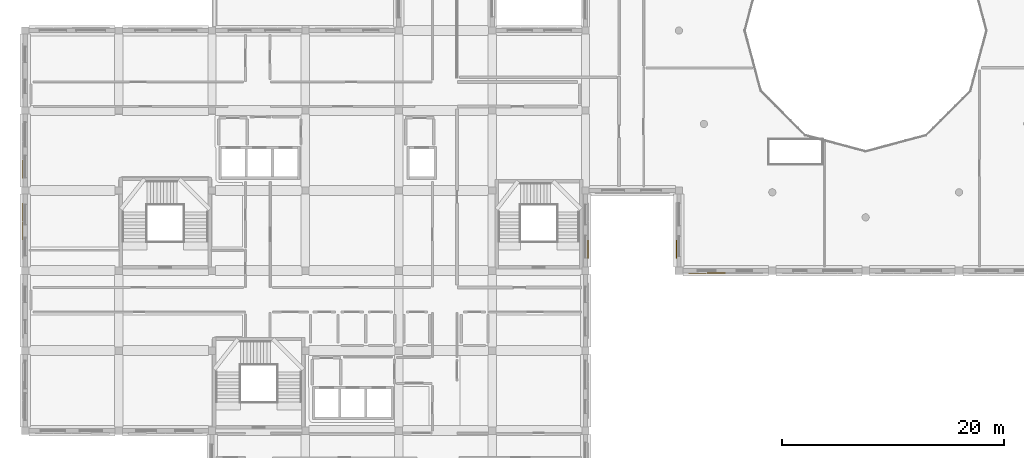
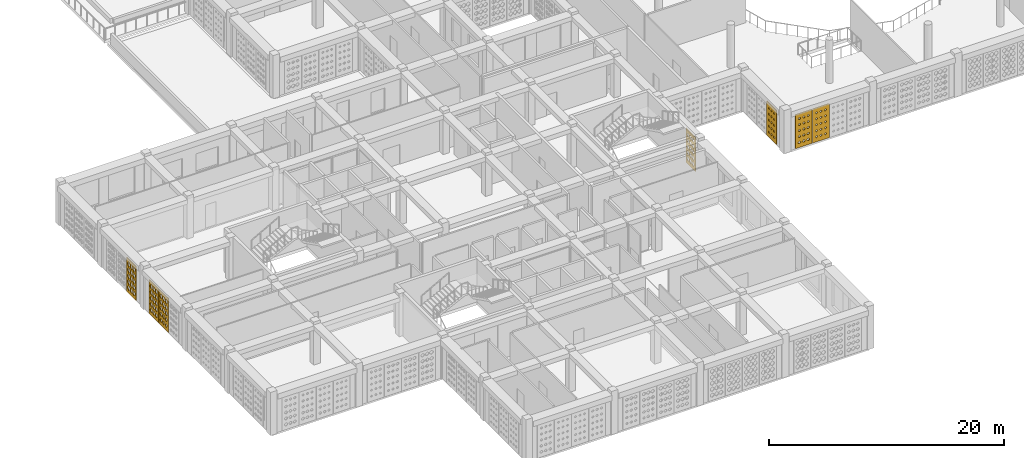
# One storey, part 25 of 47: 7 coverings.
"""IFC4 building model written with IfcOpenShell, lengths in metres."""

from ifc_helpers import new_model, si_unit, derived_unit, direction, frame, origin, place, context, subcontext, project, spatial, polyline, outline, extrude, material, layer, layer_set, type_object, element, save


model = new_model("IFC4")

# Units and contexts
model_context = context("Model", 3, precision=1e-05, world=origin(), true_north=direction((0.0, 1.0)))
body_context = subcontext(model_context, "Body", "Model", "MODEL_VIEW")
ifc_project = project(units=[si_unit("LENGTHUNIT", "METRE"), si_unit("AREAUNIT", "SQUARE_METRE"), si_unit("VOLUMEUNIT", "CUBIC_METRE"), si_unit("PLANEANGLEUNIT", "RADIAN"), si_unit("MASSUNIT", "GRAM", prefix="KILO"), derived_unit("THERMALTRANSMITTANCEUNIT", [(si_unit("POWERUNIT", "WATT"), 1), (si_unit("LENGTHUNIT", "METRE"), -2), (si_unit("THERMODYNAMICTEMPERATUREUNIT", "KELVIN"), -1)])], contexts=[model_context])

# Site, building, storey
site_placement = place(None, origin())
site = spatial("IfcSite", under=ifc_project, at=site_placement, CompositionType="ELEMENT")
building_placement = place(site_placement, origin())
building = spatial("IfcBuilding", under=site, at=building_placement, Name="Veybourne Emporium", CompositionType="ELEMENT")
storey_placement = place(building_placement, frame((0.0, 0.0, 23.39990234375)))
storey = spatial("IfcBuildingStorey", under=building, at=storey_placement, Name="L05", CompositionType="ELEMENT", Elevation=23.39990234375)

# Coverings
ifc_material = material(Name="Warm-White Perforated Aluminium Screen Alloy", Category="aluminium")
ifc_layer_1 = layer(ifc_material, 0.06005859375)
ifc_layer_set_1 = layer_set([ifc_layer_1], Name="Warm-White Perforated Aluminium Screen Alloy")
covering_type_1 = type_object("IfcCoveringType", Name="WaveScreen_SCR-01", PredefinedType="CLADDING", material=ifc_layer_set_1)
covering_1_placement = place(storey_placement, frame((-0.248046875, 34.080078125, 1.830078125), z_axis=(1.0, 0.0, 0.0), x_axis=(0.0, 1.0, 0.0)))
element("IfcCovering", 1, at=covering_1_placement, inside=storey, type_object=covering_type_1, Name="L05 wave-perforated aluminium screen SCR-01 (4.3)", PredefinedType="CLADDING", context=body_context, shape_type="SweptSolid", body=[
    extrude(outline(polyline([(-0.81982421875, -1.77001953125), (0.81982421875, -1.77001953125), (0.81982421875, 1.77001953125), (-0.81982421875, 1.77001953125), (-0.81982421875, -1.77001953125)]), holes=[polyline([(-0.433349609375, -1.03369140625), (-0.25439453125, -1.165771484375), (-0.25439453125, -1.314208984375), (-0.433349609375, -1.4462890625), (-0.612060546875, -1.314208984375), (-0.612060546875, -1.165771484375), (-0.433349609375, -1.03369140625)]), polyline([(-0.433349609375, -0.39990234375), (-0.2470703125, -0.540771484375), (-0.2470703125, -0.69921875), (-0.433349609375, -0.840087890625), (-0.61962890625, -0.69921875), (-0.61962890625, -0.540771484375), (-0.433349609375, -0.39990234375)]), polyline([(-0.433349609375, 0.233154296875), (-0.2470703125, 0.083984375), (-0.2470703125, -0.083984375), (-0.433349609375, -0.233154296875), (-0.61962890625, -0.083984375), (-0.61962890625, 0.083984375), (-0.433349609375, 0.233154296875)]), polyline([(-0.433349609375, 0.864990234375), (-0.2470703125, 0.708251953125), (-0.2470703125, 0.53173828125), (-0.433349609375, 0.375), (-0.61962890625, 0.53173828125), (-0.61962890625, 0.708251953125), (-0.433349609375, 0.864990234375)]), polyline([(-0.433349609375, 1.4951171875), (-0.2470703125, 1.331787109375), (-0.2470703125, 1.148193359375), (-0.433349609375, 0.98486328125), (-0.61962890625, 1.148193359375), (-0.61962890625, 1.331787109375), (-0.433349609375, 1.4951171875)]), polyline([(0.0, -1.02734375), (0.183837890625, -1.16357421875), (0.183837890625, -1.31640625), (0.0, -1.45263671875), (-0.183837890625, -1.31640625), (-0.183837890625, -1.16357421875), (0.0, -1.02734375)]), polyline([(0.0, -0.393798828125), (0.186279296875, -0.53857421875), (0.186279296875, -0.701416015625), (0.0, -0.84619140625), (-0.186279296875, -0.701416015625), (-0.186279296875, -0.53857421875), (0.0, -0.393798828125)]), polyline([(0.0, 0.238525390625), (0.186279296875, 0.0859375), (0.186279296875, -0.0859375), (0.0, -0.238525390625), (-0.186279296875, -0.0859375), (-0.186279296875, 0.0859375), (0.0, 0.238525390625)]), polyline([(0.0, 0.86962890625), (0.186279296875, 0.7099609375), (0.186279296875, 0.530029296875), (0.0, 0.370361328125), (-0.186279296875, 0.530029296875), (-0.186279296875, 0.7099609375), (0.0, 0.86962890625)]), polyline([(0.0, 1.4990234375), (0.186279296875, 1.333251953125), (0.186279296875, 1.146728515625), (0.0, 0.98095703125), (-0.186279296875, 1.146728515625), (-0.186279296875, 1.333251953125), (0.0, 1.4990234375)]), polyline([(0.433349609375, -1.021240234375), (0.61962890625, -1.1611328125), (0.61962890625, -1.31884765625), (0.433349609375, -1.458740234375), (0.2470703125, -1.31884765625), (0.2470703125, -1.1611328125), (0.433349609375, -1.021240234375)]), polyline([(0.433349609375, -0.38818359375), (0.61962890625, -0.53662109375), (0.61962890625, -0.70361328125), (0.433349609375, -0.851806640625), (0.2470703125, -0.70361328125), (0.2470703125, -0.53662109375), (0.433349609375, -0.38818359375)]), polyline([(0.433349609375, 0.243896484375), (0.61962890625, 0.087890625), (0.61962890625, -0.087890625), (0.433349609375, -0.243896484375), (0.2470703125, -0.087890625), (0.2470703125, 0.087890625), (0.433349609375, 0.243896484375)]), polyline([(0.433349609375, 0.874267578125), (0.61962890625, 0.71142578125), (0.61962890625, 0.528564453125), (0.433349609375, 0.36572265625), (0.2470703125, 0.528564453125), (0.2470703125, 0.71142578125), (0.433349609375, 0.874267578125)]), polyline([(0.433349609375, 1.502685546875), (0.61962890625, 1.334716796875), (0.61962890625, 1.1455078125), (0.433349609375, 0.977294921875), (0.2470703125, 1.1455078125), (0.2470703125, 1.334716796875), (0.433349609375, 1.502685546875)])]), origin(), (0.0, 0.0, 1.0), 0.06005859375),
])
ifc_layer_2 = layer(ifc_material, 0.06005859375)
ifc_layer_set_2 = layer_set([ifc_layer_2], Name="Warm-White Perforated Aluminium Screen Alloy")
covering_type_2 = type_object("IfcCoveringType", Name="WaveScreen_SCR-02", PredefinedType="CLADDING", material=ifc_layer_set_2)
covering_2_placement = place(storey_placement, frame((58.552001953125, 30.732421875, 1.830078125), z_axis=(1.0, 0.0, 0.0), x_axis=(0.0, 1.0, 0.0)))
element("IfcCovering", 2, at=covering_2_placement, inside=storey, type_object=covering_type_2, Name="L05 wave-perforated aluminium screen SCR-02 (39.1)", PredefinedType="CLADDING", context=body_context, shape_type="SweptSolid", body=[
    extrude(outline(polyline([(-0.81982421875, -1.77001953125), (0.81982421875, -1.77001953125), (0.81982421875, 1.77001953125), (-0.81982421875, 1.77001953125), (-0.81982421875, -1.77001953125)]), holes=[polyline([(-0.433349609375, -1.102294921875), (-0.310546875, -1.1904296875), (-0.310546875, -1.28955078125), (-0.433349609375, -1.377685546875), (-0.55615234375, -1.28955078125), (-0.55615234375, -1.1904296875), (-0.433349609375, -1.102294921875)]), polyline([(-0.433349609375, -0.491943359375), (-0.318603515625, -0.573974609375), (-0.318603515625, -0.666015625), (-0.433349609375, -0.748046875), (-0.548095703125, -0.666015625), (-0.548095703125, -0.573974609375), (-0.433349609375, -0.491943359375)]), polyline([(-0.433349609375, 0.1201171875), (-0.3251953125, 0.043212890625), (-0.3251953125, -0.043212890625), (-0.433349609375, -0.1201171875), (-0.54150390625, -0.043212890625), (-0.54150390625, 0.043212890625), (-0.433349609375, 0.1201171875)]), polyline([(-0.433349609375, 0.734375), (-0.329833984375, 0.6611328125), (-0.329833984375, 0.578857421875), (-0.433349609375, 0.505615234375), (-0.536865234375, 0.578857421875), (-0.536865234375, 0.6611328125), (-0.433349609375, 0.734375)]), polyline([(-0.433349609375, 1.350830078125), (-0.33251953125, 1.27978515625), (-0.33251953125, 1.2001953125), (-0.433349609375, 1.129150390625), (-0.5341796875, 1.2001953125), (-0.5341796875, 1.27978515625), (-0.433349609375, 1.350830078125)]), polyline([(0.0, -1.106689453125), (0.118896484375, -1.192138671875), (0.118896484375, -1.287841796875), (0.0, -1.373291015625), (-0.118896484375, -1.287841796875), (-0.118896484375, -1.192138671875), (0.0, -1.106689453125)]), polyline([(0.0, -0.495849609375), (0.111572265625, -0.5751953125), (0.111572265625, -0.664794921875), (0.0, -0.744140625), (-0.111572265625, -0.664794921875), (-0.111572265625, -0.5751953125), (0.0, -0.495849609375)]), polyline([(0.0, 0.1171875), (0.10595703125, 0.042236328125), (0.10595703125, -0.042236328125), (0.0, -0.1171875), (-0.10595703125, -0.042236328125), (-0.10595703125, 0.042236328125), (0.0, 0.1171875)]), polyline([(0.0, 0.732421875), (0.10205078125, 0.660400390625), (0.10205078125, 0.57958984375), (0.0, 0.507568359375), (-0.10205078125, 0.57958984375), (-0.10205078125, 0.660400390625), (0.0, 0.732421875)]), polyline([(0.0, 1.35009765625), (0.10009765625, 1.27978515625), (0.10009765625, 1.2001953125), (0.0, 1.1298828125), (-0.10009765625, 1.2001953125), (-0.10009765625, 1.27978515625), (0.0, 1.35009765625)]), polyline([(0.433349609375, -1.111083984375), (0.548828125, -1.193603515625), (0.548828125, -1.286376953125), (0.433349609375, -1.368896484375), (0.31787109375, -1.286376953125), (0.31787109375, -1.193603515625), (0.433349609375, -1.111083984375)]), polyline([(0.433349609375, -0.499267578125), (0.5419921875, -0.576416015625), (0.5419921875, -0.66357421875), (0.433349609375, -0.74072265625), (0.324462890625, -0.66357421875), (0.324462890625, -0.576416015625), (0.433349609375, -0.499267578125)]), polyline([(0.433349609375, 0.11474609375), (0.537353515625, 0.041259765625), (0.537353515625, -0.041259765625), (0.433349609375, -0.11474609375), (0.329345703125, -0.041259765625), (0.329345703125, 0.041259765625), (0.433349609375, 0.11474609375)]), polyline([(0.433349609375, 0.731201171875), (0.5341796875, 0.659912109375), (0.5341796875, 0.580078125), (0.433349609375, 0.5087890625), (0.33251953125, 0.580078125), (0.33251953125, 0.659912109375), (0.433349609375, 0.731201171875)]), polyline([(0.433349609375, 1.35009765625), (0.533203125, 1.279541015625), (0.533203125, 1.200439453125), (0.433349609375, 1.1298828125), (0.333251953125, 1.200439453125), (0.333251953125, 1.279541015625), (0.433349609375, 1.35009765625)])]), origin(), (0.0, 0.0, 1.0), 0.06005859375),
])
ifc_layer_3 = layer(ifc_material, 0.06005859375)
ifc_layer_set_3 = layer_set([ifc_layer_3], Name="Warm-White Perforated Aluminium Screen Alloy")
covering_type_3 = type_object("IfcCoveringType", Name="WaveScreen_SCR-03", PredefinedType="CLADDING", material=ifc_layer_set_3)
covering_3_placement = place(storey_placement, frame((62.159912109375, 28.552001953125, 1.830078125), z_axis=(0.0, 1.0, 0.0), x_axis=(-1.0, 0.0, 0.0)))
element("IfcCovering", 3, at=covering_3_placement, inside=storey, type_object=covering_type_3, Name="L05 wave-perforated aluminium screen SCR-03 (38.3)", PredefinedType="CLADDING", context=body_context, shape_type="SweptSolid", body=[
    extrude(outline(polyline([(-0.81982421875, -1.77001953125), (0.81982421875, -1.77001953125), (0.81982421875, 1.77001953125), (-0.81982421875, 1.77001953125), (-0.81982421875, -1.77001953125)]), holes=[polyline([(-0.433349609375, -1.122314453125), (-0.3271484375, -1.19775390625), (-0.3271484375, -1.2822265625), (-0.433349609375, -1.357666015625), (-0.53955078125, -1.2822265625), (-0.53955078125, -1.19775390625), (-0.433349609375, -1.122314453125)]), polyline([(-0.433349609375, -0.507080078125), (-0.3310546875, -0.579345703125), (-0.3310546875, -0.66064453125), (-0.433349609375, -0.73291015625), (-0.53564453125, -0.66064453125), (-0.53564453125, -0.579345703125), (-0.433349609375, -0.507080078125)]), polyline([(-0.433349609375, 0.1103515625), (-0.3330078125, 0.039794921875), (-0.3330078125, -0.039794921875), (-0.433349609375, -0.1103515625), (-0.53369140625, -0.039794921875), (-0.53369140625, 0.039794921875), (-0.433349609375, 0.1103515625)]), polyline([(-0.433349609375, 0.730224609375), (-0.3330078125, 0.65966796875), (-0.3330078125, 0.580322265625), (-0.433349609375, 0.509765625), (-0.53369140625, 0.580322265625), (-0.53369140625, 0.65966796875), (-0.433349609375, 0.730224609375)]), polyline([(-0.433349609375, 1.352783203125), (-0.3310546875, 1.280517578125), (-0.3310546875, 1.199462890625), (-0.433349609375, 1.127197265625), (-0.53564453125, 1.199462890625), (-0.53564453125, 1.280517578125), (-0.433349609375, 1.352783203125)]), polyline([(0.0, -1.119384765625), (0.108642578125, -1.196533203125), (0.108642578125, -1.283447265625), (0.0, -1.360595703125), (-0.108642578125, -1.283447265625), (-0.108642578125, -1.196533203125), (0.0, -1.119384765625)]), polyline([(0.0, -0.50537109375), (0.103759765625, -0.57861328125), (0.103759765625, -0.661376953125), (0.0, -0.734619140625), (-0.103759765625, -0.661376953125), (-0.103759765625, -0.57861328125), (0.0, -0.50537109375)]), polyline([(0.0, 0.111083984375), (0.100830078125, 0.0400390625), (0.100830078125, -0.0400390625), (0.0, -0.111083984375), (-0.100830078125, -0.0400390625), (-0.100830078125, 0.0400390625), (0.0, 0.111083984375)]), polyline([(0.0, 0.72998046875), (0.10009765625, 0.65966796875), (0.10009765625, 0.580322265625), (0.0, 0.510009765625), (-0.10009765625, 0.580322265625), (-0.10009765625, 0.65966796875), (0.0, 0.72998046875)]), polyline([(0.0, 1.351318359375), (0.10107421875, 1.280029296875), (0.10107421875, 1.199951171875), (0.0, 1.128662109375), (-0.10107421875, 1.199951171875), (-0.10107421875, 1.280029296875), (0.0, 1.351318359375)]), polyline([(0.433349609375, -1.1162109375), (0.544677734375, -1.1953125), (0.544677734375, -1.28466796875), (0.433349609375, -1.364013671875), (0.322021484375, -1.28466796875), (0.322021484375, -1.1953125), (0.433349609375, -1.1162109375)]), polyline([(0.433349609375, -0.5029296875), (0.5390625, -0.577880859375), (0.5390625, -0.662109375), (0.433349609375, -0.737060546875), (0.32763671875, -0.662109375), (0.32763671875, -0.577880859375), (0.433349609375, -0.5029296875)]), polyline([(0.433349609375, 0.1123046875), (0.535400390625, 0.04052734375), (0.535400390625, -0.04052734375), (0.433349609375, -0.1123046875), (0.331298828125, -0.04052734375), (0.331298828125, 0.04052734375), (0.433349609375, 0.1123046875)]), polyline([(0.433349609375, 0.730224609375), (0.533447265625, 0.65966796875), (0.533447265625, 0.580322265625), (0.433349609375, 0.509765625), (0.333251953125, 0.580322265625), (0.333251953125, 0.65966796875), (0.433349609375, 0.730224609375)]), polyline([(0.433349609375, 1.3505859375), (0.53369140625, 1.27978515625), (0.53369140625, 1.2001953125), (0.433349609375, 1.12939453125), (0.3330078125, 1.2001953125), (0.3330078125, 1.27978515625), (0.433349609375, 1.3505859375)])]), origin(), (0.0, 0.0, 1.0), 0.06005859375),
])
ifc_layer_4 = layer(ifc_material, 0.06005859375)
ifc_layer_set_4 = layer_set([ifc_layer_4], Name="Warm-White Perforated Aluminium Screen Alloy")
covering_type_4 = type_object("IfcCoveringType", Name="WaveScreen_SCR-04", PredefinedType="CLADDING", material=ifc_layer_set_4)
covering_4_placement = place(storey_placement, frame((-0.248046875, 32.39990234375, 1.830078125), z_axis=(1.0, 0.0, 0.0), x_axis=(0.0, 1.0, 0.0)))
element("IfcCovering", 4, at=covering_4_placement, inside=storey, type_object=covering_type_4, Name="L05 wave-perforated aluminium screen SCR-04 (4.2)", PredefinedType="CLADDING", context=body_context, shape_type="SweptSolid", body=[
    extrude(outline(polyline([(-0.81982421875, -1.77001953125), (0.81982421875, -1.77001953125), (0.81982421875, 1.77001953125), (-0.81982421875, 1.77001953125), (-0.81982421875, -1.77001953125)]), holes=[polyline([(-0.433349609375, -1.05859375), (-0.27490234375, -1.1748046875), (-0.27490234375, -1.305419921875), (-0.433349609375, -1.42138671875), (-0.591796875, -1.305419921875), (-0.591796875, -1.1748046875), (-0.433349609375, -1.05859375)]), polyline([(-0.433349609375, -0.42431640625), (-0.26318359375, -0.549560546875), (-0.26318359375, -0.6904296875), (-0.433349609375, -0.815673828125), (-0.603515625, -0.6904296875), (-0.603515625, -0.549560546875), (-0.433349609375, -0.42431640625)]), polyline([(-0.433349609375, 0.2099609375), (-0.251708984375, 0.07568359375), (-0.251708984375, -0.07568359375), (-0.433349609375, -0.2099609375), (-0.614990234375, -0.07568359375), (-0.614990234375, 0.07568359375), (-0.433349609375, 0.2099609375)]), polyline([(-0.433349609375, 0.843505859375), (-0.2470703125, 0.700439453125), (-0.2470703125, 0.53955078125), (-0.433349609375, 0.396484375), (-0.61962890625, 0.53955078125), (-0.61962890625, 0.700439453125), (-0.433349609375, 0.843505859375)]), polyline([(-0.433349609375, 1.476318359375), (-0.2470703125, 1.3251953125), (-0.2470703125, 1.15478515625), (-0.433349609375, 1.003662109375), (-0.61962890625, 1.15478515625), (-0.61962890625, 1.3251953125), (-0.433349609375, 1.476318359375)]), polyline([(0.0, -1.05224609375), (0.163818359375, -1.17236328125), (0.163818359375, -1.3076171875), (0.0, -1.427734375), (-0.163818359375, -1.3076171875), (-0.163818359375, -1.17236328125), (0.0, -1.05224609375)]), polyline([(0.0, -0.41796875), (0.17529296875, -0.547119140625), (0.17529296875, -0.69287109375), (0.0, -0.822021484375), (-0.17529296875, -0.69287109375), (-0.17529296875, -0.547119140625), (0.0, -0.41796875)]), polyline([(0.0, 0.21630859375), (0.186279296875, 0.077880859375), (0.186279296875, -0.077880859375), (0.0, -0.21630859375), (-0.186279296875, -0.077880859375), (-0.186279296875, 0.077880859375), (0.0, 0.21630859375)]), polyline([(0.0, 0.849365234375), (0.186279296875, 0.70263671875), (0.186279296875, 0.537353515625), (0.0, 0.390625), (-0.186279296875, 0.537353515625), (-0.186279296875, 0.70263671875), (0.0, 0.849365234375)]), polyline([(0.0, 1.481689453125), (0.186279296875, 1.326904296875), (0.186279296875, 1.153076171875), (0.0, 0.998291015625), (-0.186279296875, 1.153076171875), (-0.186279296875, 1.326904296875), (0.0, 1.481689453125)]), polyline([(0.433349609375, -1.045654296875), (0.602294921875, -1.170166015625), (0.602294921875, -1.309814453125), (0.433349609375, -1.434326171875), (0.264404296875, -1.309814453125), (0.264404296875, -1.170166015625), (0.433349609375, -1.045654296875)]), polyline([(0.433349609375, -0.41162109375), (0.614013671875, -0.544921875), (0.614013671875, -0.695068359375), (0.433349609375, -0.82861328125), (0.252685546875, -0.695068359375), (0.252685546875, -0.544921875), (0.433349609375, -0.41162109375)]), polyline([(0.433349609375, 0.22216796875), (0.61962890625, 0.080078125), (0.61962890625, -0.080078125), (0.433349609375, -0.22216796875), (0.2470703125, -0.080078125), (0.2470703125, 0.080078125), (0.433349609375, 0.22216796875)]), polyline([(0.433349609375, 0.85498046875), (0.61962890625, 0.70458984375), (0.61962890625, 0.535400390625), (0.433349609375, 0.385009765625), (0.2470703125, 0.535400390625), (0.2470703125, 0.70458984375), (0.433349609375, 0.85498046875)]), polyline([(0.433349609375, 1.48681640625), (0.61962890625, 1.328857421875), (0.61962890625, 1.151123046875), (0.433349609375, 0.993408203125), (0.2470703125, 1.151123046875), (0.2470703125, 1.328857421875), (0.433349609375, 1.48681640625)])]), origin(), (0.0, 0.0, 1.0), 0.06005859375),
])
covering_5_placement = place(storey_placement, frame((-0.248046875, 37.919921875, 1.830078125), z_axis=(1.0, 0.0, 0.0), x_axis=(0.0, 1.0, 0.0)))
element("IfcCovering", 5, at=covering_5_placement, inside=storey, type_object=covering_type_4, Name="L05 wave-perforated aluminium screen SCR-04 (5.1)", PredefinedType="CLADDING", context=body_context, shape_type="SweptSolid", body=[
    extrude(outline(polyline([(-0.81982421875, -1.77001953125), (0.81982421875, -1.77001953125), (0.81982421875, 1.77001953125), (-0.81982421875, 1.77001953125), (-0.81982421875, -1.77001953125)]), holes=[polyline([(-0.433349609375, -0.985107421875), (-0.2470703125, -1.148193359375), (-0.2470703125, -1.331787109375), (-0.433349609375, -1.4951171875), (-0.61962890625, -1.331787109375), (-0.61962890625, -1.148193359375), (-0.433349609375, -0.985107421875)]), polyline([(-0.433349609375, -0.356689453125), (-0.2470703125, -0.525146484375), (-0.2470703125, -0.71484375), (-0.433349609375, -0.88330078125), (-0.61962890625, -0.71484375), (-0.61962890625, -0.525146484375), (-0.433349609375, -0.356689453125)]), polyline([(-0.433349609375, 0.2666015625), (-0.2470703125, 0.095947265625), (-0.2470703125, -0.095947265625), (-0.433349609375, -0.2666015625), (-0.61962890625, -0.095947265625), (-0.61962890625, 0.095947265625), (-0.433349609375, 0.2666015625)]), polyline([(-0.433349609375, 0.88671875), (-0.2470703125, 0.716064453125), (-0.2470703125, 0.52392578125), (-0.433349609375, 0.353515625), (-0.61962890625, 0.52392578125), (-0.61962890625, 0.716064453125), (-0.433349609375, 0.88671875)]), polyline([(-0.433349609375, 1.506591796875), (-0.2470703125, 1.3359375), (-0.2470703125, 1.14404296875), (-0.433349609375, 0.973388671875), (-0.61962890625, 1.14404296875), (-0.61962890625, 1.3359375), (-0.433349609375, 1.506591796875)]), polyline([(0.0, -0.98095703125), (0.186279296875, -1.146728515625), (0.186279296875, -1.333251953125), (0.0, -1.4990234375), (-0.186279296875, -1.333251953125), (-0.186279296875, -1.146728515625), (0.0, -0.98095703125)]), polyline([(0.0, -0.353515625), (0.186279296875, -0.524169921875), (0.186279296875, -0.7158203125), (0.0, -0.886474609375), (-0.186279296875, -0.7158203125), (-0.186279296875, -0.524169921875), (0.0, -0.353515625)]), polyline([(0.0, 0.2666015625), (0.186279296875, 0.095947265625), (0.186279296875, -0.095947265625), (0.0, -0.2666015625), (-0.186279296875, -0.095947265625), (-0.186279296875, 0.095947265625), (0.0, 0.2666015625)]), polyline([(0.0, 0.88671875), (0.186279296875, 0.716064453125), (0.186279296875, 0.52392578125), (0.0, 0.353515625), (-0.186279296875, 0.52392578125), (-0.186279296875, 0.716064453125), (0.0, 0.88671875)]), polyline([(0.0, 1.506591796875), (0.186279296875, 1.3359375), (0.186279296875, 1.14404296875), (0.0, 0.973388671875), (-0.186279296875, 1.14404296875), (-0.186279296875, 1.3359375), (0.0, 1.506591796875)]), polyline([(0.433349609375, -0.977294921875), (0.61962890625, -1.1455078125), (0.61962890625, -1.33447265625), (0.433349609375, -1.502685546875), (0.2470703125, -1.33447265625), (0.2470703125, -1.1455078125), (0.433349609375, -0.977294921875)]), polyline([(0.433349609375, -0.353515625), (0.61962890625, -0.52392578125), (0.61962890625, -0.716064453125), (0.433349609375, -0.88671875), (0.2470703125, -0.716064453125), (0.2470703125, -0.52392578125), (0.433349609375, -0.353515625)]), polyline([(0.433349609375, 0.2666015625), (0.61962890625, 0.095947265625), (0.61962890625, -0.095947265625), (0.433349609375, -0.2666015625), (0.2470703125, -0.095947265625), (0.2470703125, 0.095947265625), (0.433349609375, 0.2666015625)]), polyline([(0.433349609375, 0.88671875), (0.61962890625, 0.716064453125), (0.61962890625, 0.52392578125), (0.433349609375, 0.353515625), (0.2470703125, 0.52392578125), (0.2470703125, 0.716064453125), (0.433349609375, 0.88671875)]), polyline([(0.433349609375, 1.506591796875), (0.61962890625, 1.3359375), (0.61962890625, 1.14404296875), (0.433349609375, 0.973388671875), (0.2470703125, 1.14404296875), (0.2470703125, 1.3359375), (0.433349609375, 1.506591796875)])]), origin(), (0.0, 0.0, 1.0), 0.06005859375),
])
covering_6_placement = place(storey_placement, frame((50.64794921875, 30.719970703125, 1.830078125), z_axis=(-1.0, 0.0, 0.0), x_axis=(0.0, -1.0, 0.0)))
element("IfcCovering", 6, at=covering_6_placement, inside=storey, type_object=covering_type_4, Name="L05 wave-perforated aluminium screen SCR-04 (31.3)", PredefinedType="CLADDING", context=body_context, shape_type="SweptSolid", body=[
    extrude(outline(polyline([(-0.81982421875, -1.77001953125), (0.81982421875, -1.77001953125), (0.81982421875, 1.77001953125), (-0.81982421875, 1.77001953125), (-0.81982421875, -1.77001953125)]), holes=[polyline([(-0.433349609375, -1.00390625), (-0.2470703125, -1.155029296875), (-0.2470703125, -1.324951171875), (-0.433349609375, -1.47607421875), (-0.61962890625, -1.324951171875), (-0.61962890625, -1.155029296875), (-0.433349609375, -1.00390625)]), polyline([(-0.433349609375, -0.396728515625), (-0.2470703125, -0.53955078125), (-0.2470703125, -0.700439453125), (-0.433349609375, -0.84326171875), (-0.61962890625, -0.700439453125), (-0.61962890625, -0.53955078125), (-0.433349609375, -0.396728515625)]), polyline([(-0.433349609375, 0.20947265625), (-0.251953125, 0.075439453125), (-0.251953125, -0.075439453125), (-0.433349609375, -0.20947265625), (-0.61474609375, -0.075439453125), (-0.61474609375, 0.075439453125), (-0.433349609375, 0.20947265625)]), polyline([(-0.433349609375, 0.815185546875), (-0.263427734375, 0.690185546875), (-0.263427734375, 0.5498046875), (-0.433349609375, 0.4248046875), (-0.60302734375, 0.5498046875), (-0.60302734375, 0.690185546875), (-0.433349609375, 0.815185546875)]), polyline([(-0.433349609375, 1.4208984375), (-0.275146484375, 1.30517578125), (-0.275146484375, 1.1748046875), (-0.433349609375, 1.05908203125), (-0.591552734375, 1.1748046875), (-0.591552734375, 1.30517578125), (-0.433349609375, 1.4208984375)]), polyline([(0.0, -0.998779296875), (0.186279296875, -1.153076171875), (0.186279296875, -1.326904296875), (0.0, -1.481201171875), (-0.186279296875, -1.326904296875), (-0.186279296875, -1.153076171875), (0.0, -0.998779296875)]), polyline([(0.0, -0.390869140625), (0.186279296875, -0.53759765625), (0.186279296875, -0.702392578125), (0.0, -0.84912109375), (-0.186279296875, -0.702392578125), (-0.186279296875, -0.53759765625), (0.0, -0.390869140625)]), polyline([(0.0, 0.2158203125), (0.186279296875, 0.07763671875), (0.186279296875, -0.07763671875), (0.0, -0.2158203125), (-0.186279296875, -0.07763671875), (-0.186279296875, 0.07763671875), (0.0, 0.2158203125)]), polyline([(0.0, 0.82177734375), (0.175048828125, 0.692626953125), (0.175048828125, 0.54736328125), (0.0, 0.418212890625), (-0.175048828125, 0.54736328125), (-0.175048828125, 0.692626953125), (0.0, 0.82177734375)]), polyline([(0.0, 1.427490234375), (0.163330078125, 1.3076171875), (0.163330078125, 1.172607421875), (0.0, 1.052490234375), (-0.163330078125, 1.172607421875), (-0.163330078125, 1.3076171875), (0.0, 1.427490234375)]), polyline([(0.433349609375, -0.99365234375), (0.61962890625, -1.1513671875), (0.61962890625, -1.32861328125), (0.433349609375, -1.486328125), (0.2470703125, -1.32861328125), (0.2470703125, -1.1513671875), (0.433349609375, -0.99365234375)]), polyline([(0.433349609375, -0.38525390625), (0.61962890625, -0.535400390625), (0.61962890625, -0.70458984375), (0.433349609375, -0.854736328125), (0.2470703125, -0.70458984375), (0.2470703125, -0.535400390625), (0.433349609375, -0.38525390625)]), polyline([(0.433349609375, 0.221923828125), (0.61962890625, 0.079833984375), (0.61962890625, -0.079833984375), (0.433349609375, -0.221923828125), (0.2470703125, -0.079833984375), (0.2470703125, 0.079833984375), (0.433349609375, 0.221923828125)]), polyline([(0.433349609375, 0.828125), (0.613525390625, 0.69482421875), (0.613525390625, 0.545166015625), (0.433349609375, 0.411865234375), (0.253173828125, 0.545166015625), (0.253173828125, 0.69482421875), (0.433349609375, 0.828125)]), polyline([(0.433349609375, 1.433837890625), (0.60205078125, 1.309814453125), (0.60205078125, 1.170166015625), (0.433349609375, 1.046142578125), (0.2646484375, 1.170166015625), (0.2646484375, 1.309814453125), (0.433349609375, 1.433837890625)])]), origin(), (0.0, 0.0, 1.0), 0.06005859375),
])
covering_7_placement = place(storey_placement, frame((60.47998046875, 28.552001953125, 1.830078125), z_axis=(0.0, 1.0, 0.0), x_axis=(-1.0, 0.0, 0.0)))
element("IfcCovering", 7, at=covering_7_placement, inside=storey, type_object=covering_type_4, Name="L05 wave-perforated aluminium screen SCR-04 (38.4)", PredefinedType="CLADDING", context=body_context, shape_type="SweptSolid", body=[
    extrude(outline(polyline([(-0.81982421875, -1.77001953125), (0.81982421875, -1.77001953125), (0.81982421875, 1.77001953125), (-0.81982421875, 1.77001953125), (-0.81982421875, -1.77001953125)]), holes=[polyline([(-0.433349609375, -1.108642578125), (-0.31591796875, -1.192626953125), (-0.31591796875, -1.287353515625), (-0.433349609375, -1.371337890625), (-0.55078125, -1.287353515625), (-0.55078125, -1.192626953125), (-0.433349609375, -1.108642578125)]), polyline([(-0.433349609375, -0.497314453125), (-0.322998046875, -0.57568359375), (-0.322998046875, -0.664306640625), (-0.433349609375, -0.74267578125), (-0.543701171875, -0.664306640625), (-0.543701171875, -0.57568359375), (-0.433349609375, -0.497314453125)]), polyline([(-0.433349609375, 0.1162109375), (-0.328369140625, 0.041748046875), (-0.328369140625, -0.041748046875), (-0.433349609375, -0.1162109375), (-0.538330078125, -0.041748046875), (-0.538330078125, 0.041748046875), (-0.433349609375, 0.1162109375)]), polyline([(-0.433349609375, 0.73193359375), (-0.331787109375, 0.660400390625), (-0.331787109375, 0.57958984375), (-0.433349609375, 0.508056640625), (-0.534912109375, 0.57958984375), (-0.534912109375, 0.660400390625), (-0.433349609375, 0.73193359375)]), polyline([(-0.433349609375, 1.35009765625), (-0.333251953125, 1.279541015625), (-0.333251953125, 1.200439453125), (-0.433349609375, 1.1298828125), (-0.533447265625, 1.200439453125), (-0.533447265625, 1.279541015625), (-0.433349609375, 1.35009765625)]), polyline([(0.0, -1.104248046875), (0.12109375, -1.191162109375), (0.12109375, -1.288818359375), (0.0, -1.375732421875), (-0.12109375, -1.288818359375), (-0.12109375, -1.191162109375), (0.0, -1.104248046875)]), polyline([(0.0, -0.49365234375), (0.11328125, -0.574462890625), (0.11328125, -0.66552734375), (0.0, -0.746337890625), (-0.11328125, -0.66552734375), (-0.11328125, -0.574462890625), (0.0, -0.49365234375)]), polyline([(0.0, 0.118896484375), (0.107177734375, 0.042724609375), (0.107177734375, -0.042724609375), (0.0, -0.118896484375), (-0.107177734375, -0.042724609375), (-0.107177734375, 0.042724609375), (0.0, 0.118896484375)]), polyline([(0.0, 0.7333984375), (0.102783203125, 0.660888671875), (0.102783203125, 0.5791015625), (0.0, 0.506591796875), (-0.102783203125, 0.5791015625), (-0.102783203125, 0.660888671875), (0.0, 0.7333984375)]), polyline([(0.0, 1.3505859375), (0.1005859375, 1.27978515625), (0.1005859375, 1.2001953125), (0.0, 1.12939453125), (-0.1005859375, 1.2001953125), (-0.1005859375, 1.27978515625), (0.0, 1.3505859375)]), polyline([(0.433349609375, -1.099365234375), (0.558349609375, -1.189453125), (0.558349609375, -1.29052734375), (0.433349609375, -1.380615234375), (0.30810546875, -1.29052734375), (0.30810546875, -1.189453125), (0.433349609375, -1.099365234375)]), polyline([(0.433349609375, -0.489501953125), (0.550048828125, -0.572998046875), (0.550048828125, -0.6669921875), (0.433349609375, -0.75048828125), (0.316650390625, -0.6669921875), (0.316650390625, -0.572998046875), (0.433349609375, -0.489501953125)]), polyline([(0.433349609375, 0.121826171875), (0.543212890625, 0.0439453125), (0.543212890625, -0.0439453125), (0.433349609375, -0.121826171875), (0.323486328125, -0.0439453125), (0.323486328125, 0.0439453125), (0.433349609375, 0.121826171875)]), polyline([(0.433349609375, 0.735595703125), (0.537841796875, 0.66162109375), (0.537841796875, 0.578369140625), (0.433349609375, 0.50439453125), (0.32861328125, 0.578369140625), (0.32861328125, 0.66162109375), (0.433349609375, 0.735595703125)]), polyline([(0.433349609375, 1.3515625), (0.53466796875, 1.2802734375), (0.53466796875, 1.19970703125), (0.433349609375, 1.12841796875), (0.33203125, 1.19970703125), (0.33203125, 1.2802734375), (0.433349609375, 1.3515625)])]), origin(), (0.0, 0.0, 1.0), 0.06005859375),
])

save(model, "model.ifc")
